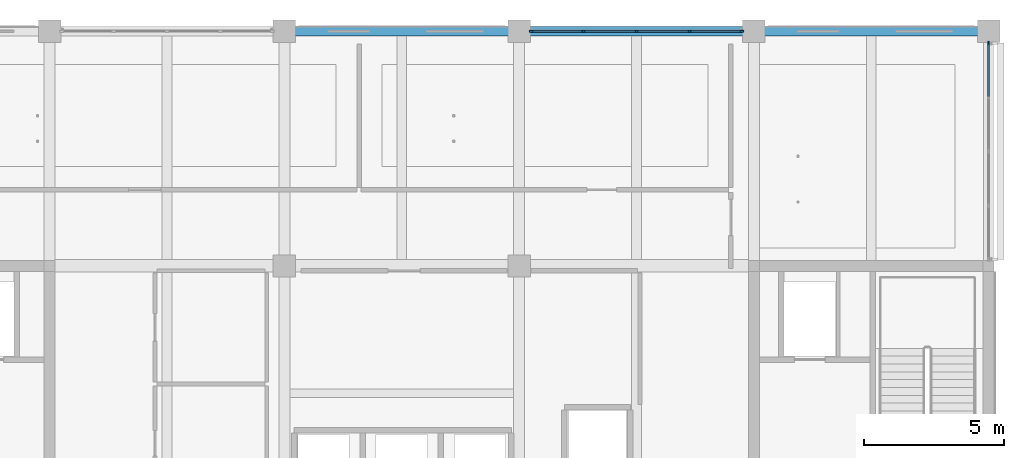
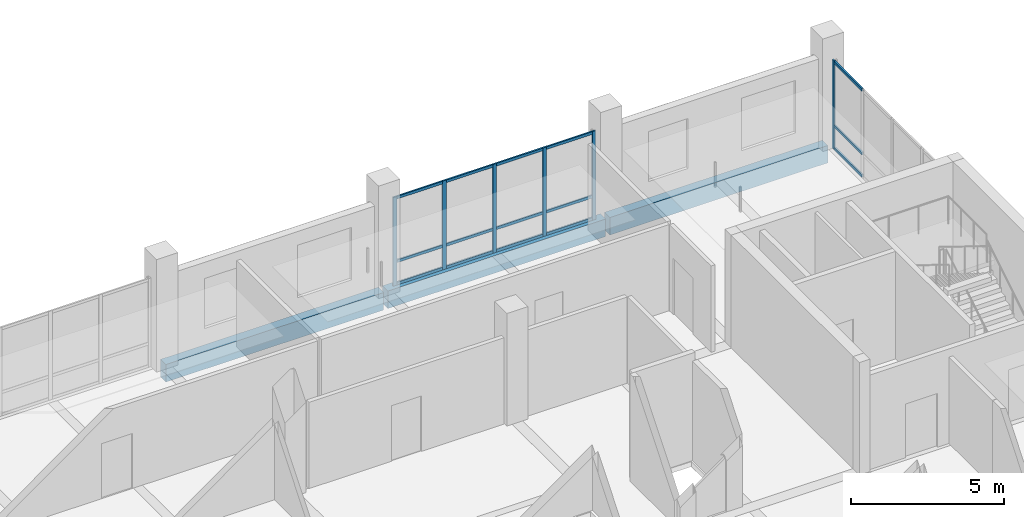
# One storey, part 9 of 34: 21 members, 3 beams, 2 elements without a shape of their own.
"""IFC4 building model written with IfcOpenShell, lengths in metres."""

from ifc_helpers import new_model, si_unit, direction, frame, origin, origin_2d, place, context, subcontext, project, spatial, rectangle, extrude, material, layer, layer_set, material_profile, profile_set, type_object, element, aggregate, save


model = new_model("IFC4")

# Units and contexts
model_context = context("Model", 3, precision=1e-05, world=origin(), true_north=direction((0.0, 1.0)))
body_context = subcontext(model_context, "Body", "Model", "MODEL_VIEW")
ifc_project = project(units=[si_unit("LENGTHUNIT", "METRE"), si_unit("AREAUNIT", "SQUARE_METRE"), si_unit("VOLUMEUNIT", "CUBIC_METRE"), si_unit("PLANEANGLEUNIT", "RADIAN"), si_unit("MASSUNIT", "GRAM", prefix="KILO")], contexts=[model_context])

# Site, building, storey
site_placement = place(None, origin())
site = spatial("IfcSite", under=ifc_project, at=site_placement, CompositionType="ELEMENT")
building_placement = place(site_placement, origin())
building = spatial("IfcBuilding", under=site, at=building_placement, Name="Telukmera Botanical Conservatory", CompositionType="ELEMENT")
storey_placement = place(building_placement, frame((0.0, 0.0, 37.5)))
storey = spatial("IfcBuildingStorey", under=building, at=storey_placement, Name="L08", CompositionType="ELEMENT", Elevation=37.5)

# Beams
ifc_material_1 = material(Name="Precast concrete C40/50", Category="concrete")
ifc_material_profile_1 = material_profile(ifc_material_1, rectangle(XDim=0.35009765625, YDim=0.699951171875, at=origin_2d()), Name="PC 350x700")
ifc_profile_set_1 = profile_set([ifc_material_profile_1], Name="Precast concrete C40/50")
beam_type = type_object("IfcBeamType", Name="Beam_SP2", PredefinedType="SPANDREL", material=ifc_profile_set_1)
for number, where, z_axis, x_axis, name in (
    (1, (75.679931640625, 42.800048828125, -0.35009765625), (1.0, 0.0, 0.0), (0.0, 1.0, 0.0), "Tower Grid Beam L08"),
    (2, (84.080078125, 42.800048828125, -0.35009765625), (1.0, 0.0, 0.0), (0.0, 1.0, 0.0), "Tower Grid Beam L08"),
    (3, (92.47998046875, 42.800048828125, -0.35009765625), (1.0, 0.0, 0.0), (0.0, 1.0, 0.0), "Tower Grid Beam L08"),
):
    element("IfcBeam", number, at=place(storey_placement, frame(where, z_axis=z_axis, x_axis=x_axis)), inside=storey, type_object=beam_type, Name=name, PredefinedType="SPANDREL", context=body_context, shape_type="SweptSolid", body=[
        extrude(rectangle(XDim=0.35009765625, YDim=0.699951171875, at=origin_2d()), origin(), (0.0, 0.0, 1.0), 8.239990234375),
    ])

# Curtain wall, members
ifc_material_2 = material(Name="Anodised aluminium 6063-T6", Category="aluminium")
ifc_layer = layer(ifc_material_2, 0.179931640625)
ifc_layer_set = layer_set([ifc_layer], Name="Anodised aluminium 6063-T6")
curtain_wall_type = type_object("IfcCurtainWallType", Name="Tower Research Laboratory Unitised Curtain Wall", PredefinedType="USERDEFINED", material=ifc_layer_set)
curtain_wall_1_placement = place(storey_placement, origin())
curtain_wall_1 = element("IfcCurtainWall", 4, at=curtain_wall_1_placement, inside=storey, type_object=curtain_wall_type, Name="Unitised Curtain Wall CW15 V4:L08:N5", ObjectType="UNITISED CURTAIN WALL", PredefinedType="USERDEFINED")
ifc_material_profile_2 = material_profile(ifc_material_2, rectangle(XDim=0.06005859375, YDim=0.139892578125, at=origin_2d()), Name="ALU MULL 60x140")
ifc_profile_set_2 = profile_set([ifc_material_profile_2], Name="Anodised aluminium 6063-T6")
member_type_1 = type_object("IfcMemberType", Name="Curtain Wall Extruded Mullion 60x140", PredefinedType="MULLION", material=ifc_profile_set_2)
member_1_placement = place(storey_placement, frame((84.431884765625, 42.800048828125, 0.0), z_axis=(0.0, 0.0, 1.0), x_axis=(0.0, 1.0, 0.0)))
member_1 = element("IfcMember", 5, at=member_1_placement, type_object=member_type_1, Name="CW15 mullion 1", PredefinedType="MULLION", context=body_context, shape_type="SweptSolid", body=[
    extrude(rectangle(XDim=0.06005859375, YDim=0.139892578125, at=origin_2d()), origin(), (0.0, 0.0, 1.0), 3.550048828125),
])
member_2_placement = place(storey_placement, frame((86.301025390625, 42.800048828125, 0.0), z_axis=(0.0, 0.0, 1.0), x_axis=(0.0, 1.0, 0.0)))
member_2 = element("IfcMember", 6, at=member_2_placement, type_object=member_type_1, Name="CW15 mullion 2", PredefinedType="MULLION", context=body_context, shape_type="SweptSolid", body=[
    extrude(rectangle(XDim=0.06005859375, YDim=0.139892578125, at=origin_2d()), origin(), (0.0, 0.0, 1.0), 3.550048828125),
])
member_3_placement = place(storey_placement, frame((88.199951171875, 42.800048828125, 0.0), z_axis=(0.0, 0.0, 1.0), x_axis=(0.0, 1.0, 0.0)))
member_3 = element("IfcMember", 7, at=member_3_placement, type_object=member_type_1, Name="CW15 mullion 3", PredefinedType="MULLION", context=body_context, shape_type="SweptSolid", body=[
    extrude(rectangle(XDim=0.06005859375, YDim=0.139892578125, at=origin_2d()), origin(), (0.0, 0.0, 1.0), 3.550048828125),
])
member_4_placement = place(storey_placement, frame((90.09912109375, 42.800048828125, 0.0), z_axis=(0.0, 0.0, 1.0), x_axis=(0.0, 1.0, 0.0)))
member_4 = element("IfcMember", 8, at=member_4_placement, type_object=member_type_1, Name="CW15 mullion 4", PredefinedType="MULLION", context=body_context, shape_type="SweptSolid", body=[
    extrude(rectangle(XDim=0.06005859375, YDim=0.139892578125, at=origin_2d()), origin(), (0.0, 0.0, 1.0), 3.550048828125),
])
member_5_placement = place(storey_placement, frame((91.968017578125, 42.800048828125, 0.0), z_axis=(0.0, 0.0, 1.0), x_axis=(0.0, 1.0, 0.0)))
member_5 = element("IfcMember", 9, at=member_5_placement, type_object=member_type_1, Name="CW15 mullion 5", PredefinedType="MULLION", context=body_context, shape_type="SweptSolid", body=[
    extrude(rectangle(XDim=0.06005859375, YDim=0.139892578125, at=origin_2d()), origin(), (0.0, 0.0, 1.0), 3.550048828125),
])

# Curtain wall, member
curtain_wall_2_placement = place(storey_placement, origin())
curtain_wall_2 = element("IfcCurtainWall", 10, at=curtain_wall_2_placement, inside=storey, type_object=curtain_wall_type, Name="Unitised Curtain Wall CW15 V4:L08:E4", ObjectType="UNITISED CURTAIN WALL", PredefinedType="USERDEFINED")
member_6_placement = place(storey_placement, frame((100.800048828125, 42.367919921875, 0.0), z_axis=(0.0, 0.0, 1.0), x_axis=(-1.0, 0.0, 0.0)))
member_6 = element("IfcMember", 11, at=member_6_placement, type_object=member_type_1, Name="CW15 mullion 5", PredefinedType="MULLION", context=body_context, shape_type="SweptSolid", body=[
    extrude(rectangle(XDim=0.06005859375, YDim=0.139892578125, at=origin_2d()), origin(), (0.0, 0.0, 1.0), 3.550048828125),
])

# Member
ifc_material_profile_3 = material_profile(ifc_material_2, rectangle(XDim=0.06005859375, YDim=0.110107421875, at=origin_2d()), Name="ALU TRAN 60x110")
ifc_profile_set_3 = profile_set([ifc_material_profile_3], Name="Anodised aluminium 6063-T6")
member_type_2 = type_object("IfcMemberType", Name="Curtain Wall Extruded Transom 60x110", PredefinedType="USERDEFINED", material=ifc_profile_set_3)
member_7_placement = place(storey_placement, frame((84.4619140625, 42.800048828125, 0.054931640625), z_axis=(1.0, 0.0, 0.0), x_axis=(0.0, 1.0, 0.0)))
member_7 = element("IfcMember", 12, at=member_7_placement, type_object=member_type_2, Name="CW15 transom 1.1", ObjectType="TRANSOM", PredefinedType="USERDEFINED", context=body_context, shape_type="SweptSolid", body=[
    extrude(rectangle(XDim=0.06005859375, YDim=0.110107421875, at=origin_2d()), origin(), (0.0, 0.0, 1.0), 1.80908203125),
])

member_8_placement = place(storey_placement, frame((84.4619140625, 42.800048828125, 0.949951171875), z_axis=(1.0, 0.0, 0.0), x_axis=(0.0, 1.0, 0.0)))
member_8 = element("IfcMember", 13, at=member_8_placement, type_object=member_type_2, Name="CW15 transom 1.2", ObjectType="TRANSOM", PredefinedType="USERDEFINED", context=body_context, shape_type="SweptSolid", body=[
    extrude(rectangle(XDim=0.06005859375, YDim=0.110107421875, at=origin_2d()), origin(), (0.0, 0.0, 1.0), 1.80908203125),
])

member_9_placement = place(storey_placement, frame((84.4619140625, 42.800048828125, 3.4951171875), z_axis=(1.0, 0.0, 0.0), x_axis=(0.0, 1.0, 0.0)))
member_9 = element("IfcMember", 14, at=member_9_placement, type_object=member_type_2, Name="CW15 transom 1.3", ObjectType="TRANSOM", PredefinedType="USERDEFINED", context=body_context, shape_type="SweptSolid", body=[
    extrude(rectangle(XDim=0.06005859375, YDim=0.110107421875, at=origin_2d()), origin(), (0.0, 0.0, 1.0), 1.80908203125),
])

member_10_placement = place(storey_placement, frame((86.3310546875, 42.800048828125, 0.054931640625), z_axis=(1.0, 0.0, 0.0), x_axis=(0.0, 1.0, 0.0)))
member_10 = element("IfcMember", 15, at=member_10_placement, type_object=member_type_2, Name="CW15 transom 2.1", ObjectType="TRANSOM", PredefinedType="USERDEFINED", context=body_context, shape_type="SweptSolid", body=[
    extrude(rectangle(XDim=0.06005859375, YDim=0.110107421875, at=origin_2d()), origin(), (0.0, 0.0, 1.0), 1.8388671875),
])

member_11_placement = place(storey_placement, frame((86.3310546875, 42.800048828125, 0.949951171875), z_axis=(1.0, 0.0, 0.0), x_axis=(0.0, 1.0, 0.0)))
member_11 = element("IfcMember", 16, at=member_11_placement, type_object=member_type_2, Name="CW15 transom 2.2", ObjectType="TRANSOM", PredefinedType="USERDEFINED", context=body_context, shape_type="SweptSolid", body=[
    extrude(rectangle(XDim=0.06005859375, YDim=0.110107421875, at=origin_2d()), origin(), (0.0, 0.0, 1.0), 1.8388671875),
])

member_12_placement = place(storey_placement, frame((86.3310546875, 42.800048828125, 3.4951171875), z_axis=(1.0, 0.0, 0.0), x_axis=(0.0, 1.0, 0.0)))
member_12 = element("IfcMember", 17, at=member_12_placement, type_object=member_type_2, Name="CW15 transom 2.3", ObjectType="TRANSOM", PredefinedType="USERDEFINED", context=body_context, shape_type="SweptSolid", body=[
    extrude(rectangle(XDim=0.06005859375, YDim=0.110107421875, at=origin_2d()), origin(), (0.0, 0.0, 1.0), 1.8388671875),
])

member_13_placement = place(storey_placement, frame((88.22998046875, 42.800048828125, 0.054931640625), z_axis=(1.0, 0.0, 0.0), x_axis=(0.0, 1.0, 0.0)))
member_13 = element("IfcMember", 18, at=member_13_placement, type_object=member_type_2, Name="CW15 transom 3.1", ObjectType="TRANSOM", PredefinedType="USERDEFINED", context=body_context, shape_type="SweptSolid", body=[
    extrude(rectangle(XDim=0.06005859375, YDim=0.110107421875, at=origin_2d()), origin(), (0.0, 0.0, 1.0), 1.839111328125),
])

member_14_placement = place(storey_placement, frame((88.22998046875, 42.800048828125, 0.949951171875), z_axis=(1.0, 0.0, 0.0), x_axis=(0.0, 1.0, 0.0)))
member_14 = element("IfcMember", 19, at=member_14_placement, type_object=member_type_2, Name="CW15 transom 3.2", ObjectType="TRANSOM", PredefinedType="USERDEFINED", context=body_context, shape_type="SweptSolid", body=[
    extrude(rectangle(XDim=0.06005859375, YDim=0.110107421875, at=origin_2d()), origin(), (0.0, 0.0, 1.0), 1.839111328125),
])

member_15_placement = place(storey_placement, frame((88.22998046875, 42.800048828125, 3.4951171875), z_axis=(1.0, 0.0, 0.0), x_axis=(0.0, 1.0, 0.0)))
member_15 = element("IfcMember", 20, at=member_15_placement, type_object=member_type_2, Name="CW15 transom 3.3", ObjectType="TRANSOM", PredefinedType="USERDEFINED", context=body_context, shape_type="SweptSolid", body=[
    extrude(rectangle(XDim=0.06005859375, YDim=0.110107421875, at=origin_2d()), origin(), (0.0, 0.0, 1.0), 1.839111328125),
])

member_16_placement = place(storey_placement, frame((90.12890625, 42.800048828125, 0.054931640625), z_axis=(1.0, 0.0, 0.0), x_axis=(0.0, 1.0, 0.0)))
member_16 = element("IfcMember", 21, at=member_16_placement, type_object=member_type_2, Name="CW15 transom 4.1", ObjectType="TRANSOM", PredefinedType="USERDEFINED", context=body_context, shape_type="SweptSolid", body=[
    extrude(rectangle(XDim=0.06005859375, YDim=0.110107421875, at=origin_2d()), origin(), (0.0, 0.0, 1.0), 1.80908203125),
])

member_17_placement = place(storey_placement, frame((90.12890625, 42.800048828125, 0.949951171875), z_axis=(1.0, 0.0, 0.0), x_axis=(0.0, 1.0, 0.0)))
member_17 = element("IfcMember", 22, at=member_17_placement, type_object=member_type_2, Name="CW15 transom 4.2", ObjectType="TRANSOM", PredefinedType="USERDEFINED", context=body_context, shape_type="SweptSolid", body=[
    extrude(rectangle(XDim=0.06005859375, YDim=0.110107421875, at=origin_2d()), origin(), (0.0, 0.0, 1.0), 1.80908203125),
])

member_18_placement = place(storey_placement, frame((90.12890625, 42.800048828125, 3.4951171875), z_axis=(1.0, 0.0, 0.0), x_axis=(0.0, 1.0, 0.0)))
member_18 = element("IfcMember", 23, at=member_18_placement, type_object=member_type_2, Name="CW15 transom 4.3", ObjectType="TRANSOM", PredefinedType="USERDEFINED", context=body_context, shape_type="SweptSolid", body=[
    extrude(rectangle(XDim=0.06005859375, YDim=0.110107421875, at=origin_2d()), origin(), (0.0, 0.0, 1.0), 1.80908203125),
])

aggregate(curtain_wall_1, [member_1, member_2, member_3, member_4, member_5, member_7, member_8, member_9, member_10, member_11, member_12, member_13, member_14, member_15, member_16, member_17, member_18])

member_19_placement = place(storey_placement, frame((100.800048828125, 40.47900390625, 0.054931640625), z_axis=(0.0, 1.0, 0.0), x_axis=(-1.0, 0.0, 0.0)))
member_19 = element("IfcMember", 24, at=member_19_placement, type_object=member_type_2, Name="CW15 transom 4.1", ObjectType="TRANSOM", PredefinedType="USERDEFINED", context=body_context, shape_type="SweptSolid", body=[
    extrude(rectangle(XDim=0.06005859375, YDim=0.110107421875, at=origin_2d()), origin(), (0.0, 0.0, 1.0), 1.85888671875),
])

member_20_placement = place(storey_placement, frame((100.800048828125, 40.47900390625, 0.949951171875), z_axis=(0.0, 1.0, 0.0), x_axis=(-1.0, 0.0, 0.0)))
member_20 = element("IfcMember", 25, at=member_20_placement, type_object=member_type_2, Name="CW15 transom 4.2", ObjectType="TRANSOM", PredefinedType="USERDEFINED", context=body_context, shape_type="SweptSolid", body=[
    extrude(rectangle(XDim=0.06005859375, YDim=0.110107421875, at=origin_2d()), origin(), (0.0, 0.0, 1.0), 1.85888671875),
])

member_21_placement = place(storey_placement, frame((100.800048828125, 40.47900390625, 3.4951171875), z_axis=(0.0, 1.0, 0.0), x_axis=(-1.0, 0.0, 0.0)))
member_21 = element("IfcMember", 26, at=member_21_placement, type_object=member_type_2, Name="CW15 transom 4.3", ObjectType="TRANSOM", PredefinedType="USERDEFINED", context=body_context, shape_type="SweptSolid", body=[
    extrude(rectangle(XDim=0.06005859375, YDim=0.110107421875, at=origin_2d()), origin(), (0.0, 0.0, 1.0), 1.85888671875),
])

aggregate(curtain_wall_2, [member_6, member_19, member_20, member_21])

save(model, "model.ifc")
